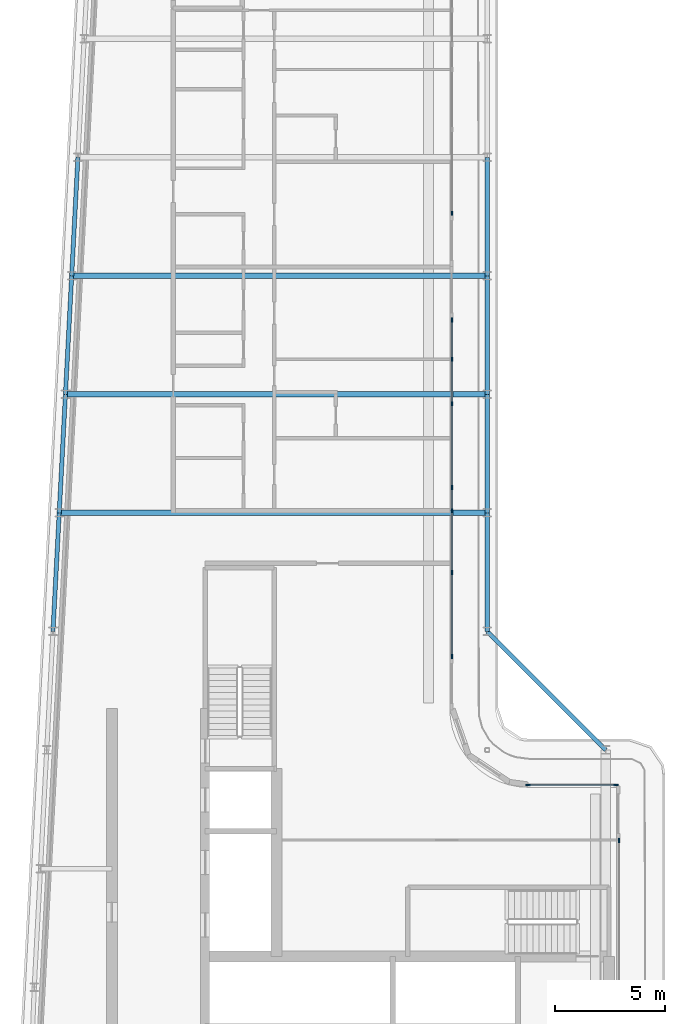
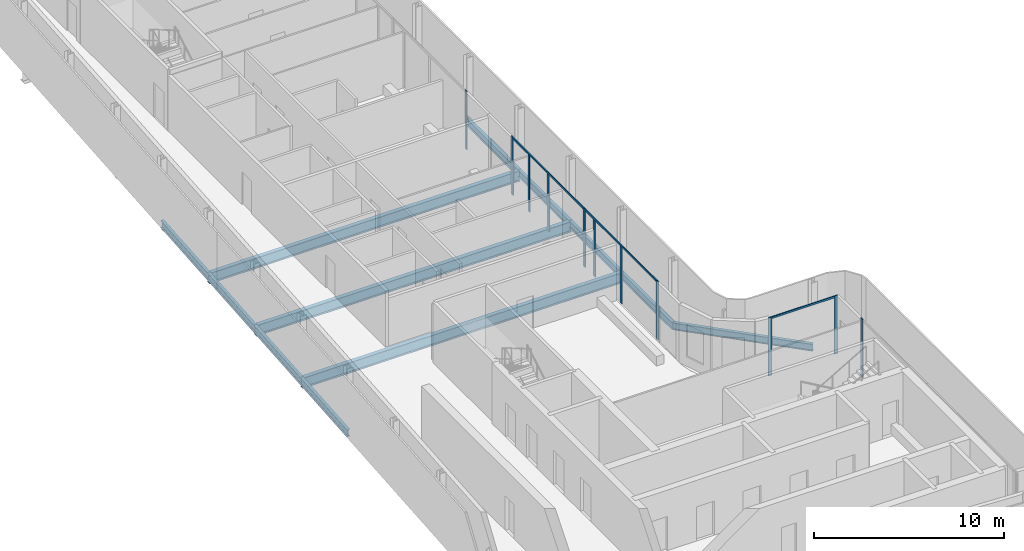
# One storey, part 5 of 18: 14 members, 12 beams, 5 elements without a shape of their own.
"""IFC4 building model written with IfcOpenShell, lengths in metres."""

import ifcopenshell
import ifcopenshell.guid

model = None  # the IFC model being written
_history = None  # IfcOwnerHistory: only IFC2X3 demands one
_inside = {}  # id of a spatial element -> (the spatial element, [elements in it])
_under = {}  # id of a project, library or spatial element -> (it, [spatial elements below it])
_declared = {}  # id of a project -> (the project, [libraries it declares])
_typed = {}  # id of a type object -> (the type object, [elements of that type])
_made_of = {}  # id of a material, layer set ... -> (it, [elements and type objects made of it])


def new_model(schema):
    """Start an empty IFC model of exactly this schema.

    Asked for "IFC4X3", IfcOpenShell would pick the latest addendum, in which some entities
    have other attributes; the version numbers below select the first issue.
    IFC2X3 requires an IfcOwnerHistory on every rooted entity: one is made here for all.
    """
    global model, _history
    if schema == "IFC4X3":
        model = ifcopenshell.file(schema_version=(4, 3, 0, 0))
    else:
        model = ifcopenshell.file(schema=schema)
    _inside.clear()
    _under.clear()
    _declared.clear()
    _typed.clear()
    _made_of.clear()
    _history = None
    if model.schema == "IFC2X3":
        org = make("IfcOrganization", Name="unknown")
        user = make(
            "IfcPersonAndOrganization",
            ThePerson=make("IfcPerson", FamilyName="unknown"),
            TheOrganization=org,
        )
        app = make(
            "IfcApplication",
            ApplicationDeveloper=org,
            Version="unknown",
            ApplicationFullName="unknown",
            ApplicationIdentifier="unknown",
        )
        _history = make(
            "IfcOwnerHistory",
            OwningUser=user,
            OwningApplication=app,
            ChangeAction="ADDED",
            CreationDate=0,
        )
    return model


def make(cls, **values):
    """One entity of the class cls with the attributes given. An attribute that is None is left unset."""
    return model.create_entity(
        cls, **{name: value for name, value in values.items() if value is not None}
    )


def rooted(cls, **values):
    """An entity with a GlobalId (a new one), such as an element, a storey or a relation."""
    return make(cls, GlobalId=ifcopenshell.guid.new(), OwnerHistory=_history, **values)


def si_unit(unit_type, name, prefix=None):
    """IfcSIUnit, for example si_unit("LENGTHUNIT", "METRE", prefix="MILLI")."""
    return make("IfcSIUnit", UnitType=unit_type, Prefix=prefix, Name=name)


def assignment(units):
    """IfcUnitAssignment: the units of a project."""
    return None if units is None else make("IfcUnitAssignment", Units=units)


def point(xyz):
    """IfcCartesianPoint."""
    return None if xyz is None else make("IfcCartesianPoint", Coordinates=xyz)


def direction(xyz):
    """IfcDirection."""
    return None if xyz is None else make("IfcDirection", DirectionRatios=xyz)


def frame(location, z_axis=None, x_axis=None):
    """IfcAxis2Placement3D, a coordinate frame: its origin and axes. An axis left out is left unset."""
    return make(
        "IfcAxis2Placement3D",
        Location=point(location),
        Axis=direction(z_axis),
        RefDirection=direction(x_axis),
    )


def frame_2d(location, x_axis=None):
    """IfcAxis2Placement2D, a coordinate frame in the plane: its origin and x axis."""
    return make(
        "IfcAxis2Placement2D", Location=point(location), RefDirection=direction(x_axis)
    )


def origin():
    """The frame at (0, 0, 0) with its axes left unset."""
    return frame((0.0, 0.0, 0.0))


def origin_2d():
    """The frame at (0, 0) in the plane with its x axis left unset."""
    return frame_2d((0.0, 0.0))


def place(relative_to, where):
    """IfcLocalPlacement: puts the frame where relative to a parent placement (None: the world)."""
    return make(
        "IfcLocalPlacement", PlacementRelTo=relative_to, RelativePlacement=where
    )


def context(
    kind, dimensions, precision=None, world=None, true_north=None, identifier=None
):
    """IfcGeometricRepresentationContext, for example the 3D "Model" context."""
    return make(
        "IfcGeometricRepresentationContext",
        ContextIdentifier=identifier,
        ContextType=kind,
        CoordinateSpaceDimension=dimensions,
        Precision=precision,
        WorldCoordinateSystem=world,
        TrueNorth=true_north,
    )


def subcontext(parent, identifier, kind, view, scale=None):
    """IfcGeometricRepresentationSubContext, for example "Body" below "Model"."""
    return make(
        "IfcGeometricRepresentationSubContext",
        ContextIdentifier=identifier,
        ContextType=kind,
        ParentContext=parent,
        TargetScale=scale,
        TargetView=view,
    )


def project(units=None, contexts=None):
    """IfcProject with its units and contexts."""
    return rooted(
        "IfcProject",
        Name="project",
        RepresentationContexts=contexts,
        UnitsInContext=assignment(units),
    )


def spatial(cls, under=None, at=None, **own):
    """A site, building, storey or space (cls), placed at a placement, below another one or the project."""
    s = rooted(cls, ObjectPlacement=at, **own)
    if under is not None:
        _under.setdefault(under.id(), (under, []))[1].append(s)
    return s


def profile(cls, at=None, kind="AREA", **sizes):
    """A parametric profile (cls). Its sizes go by their IFC names, for example OverallWidth=200.0."""
    return make(cls, ProfileType=kind, Position=at, **sizes)


def rectangle(**sizes):
    """IfcRectangleProfileDef."""
    return profile("IfcRectangleProfileDef", **sizes)


def i_section(**sizes):
    """IfcIShapeProfileDef."""
    return profile("IfcIShapeProfileDef", **sizes)


def extrude(swept, where, along, depth):
    """IfcExtrudedAreaSolid: the profile swept, set in the frame where, extruded along a direction by depth."""
    return make(
        "IfcExtrudedAreaSolid",
        SweptArea=swept,
        Position=where,
        ExtrudedDirection=direction(along),
        Depth=depth,
    )


def shape(context_of_items, identifier, shape_type, items):
    """IfcShapeRepresentation: the items that make up one representation, for example the "Body"."""
    return make(
        "IfcShapeRepresentation",
        ContextOfItems=context_of_items,
        RepresentationIdentifier=identifier,
        RepresentationType=shape_type,
        Items=items,
    )


def material(Name=None, Category=None):
    """IfcMaterial."""
    return make("IfcMaterial", Name=Name, Category=Category)


def layer(
    of_material, thickness, ventilated=None, Name=None, Category=None, Priority=None
):
    """IfcMaterialLayer: one layer of a wall or slab, of a material (None: an air gap)."""
    return make(
        "IfcMaterialLayer",
        Material=of_material,
        LayerThickness=thickness,
        IsVentilated=ventilated,
        Name=Name,
        Category=Category,
        Priority=Priority,
    )


def layer_set(layers, Name=None):
    """IfcMaterialLayerSet."""
    return make("IfcMaterialLayerSet", MaterialLayers=layers, LayerSetName=Name)


def material_profile(
    of_material, cross_section, Name=None, Category=None, Priority=None
):
    """IfcMaterialProfile: a cross section and its material."""
    return make(
        "IfcMaterialProfile",
        Name=Name,
        Material=of_material,
        Profile=cross_section,
        Priority=Priority,
        Category=Category,
    )


def profile_set(profiles, Name=None, composite=None):
    """IfcMaterialProfileSet."""
    return make(
        "IfcMaterialProfileSet",
        Name=Name,
        MaterialProfiles=profiles,
        CompositeProfile=composite,
    )


def made_of(thing, what):
    """Note that an element or type object is made of a material, layer set ...; save() writes the relation."""
    if what is not None:
        _made_of.setdefault(what.id(), (what, []))[1].append(thing)
    return thing


def type_object(cls, material=None, **own):
    """A type object (cls), such as IfcWallType, which elements share."""
    return made_of(rooted(cls, **own), material)


def element(
    cls,
    number,
    at=None,
    inside=None,
    cuts=None,
    type_object=None,
    material=None,
    context=None,
    identifier="Body",
    shape_type=None,
    held_by="IfcProductDefinitionShape",
    body=None,
    shapes=None,
    **own,
):
    """One element of the class cls, such as IfcWall. Its Tag is "e" and its number.

    at: its placement. inside: the storey or other place that contains it. cuts: it is an
    opening in that element (IfcRelVoidsElement). A single representation is given by context,
    identifier, shape_type and body (its items); several are given by shapes. held_by: the class
    of the entity that holds the representations. save() writes the other relations.
    """
    e = rooted(cls, Tag="e%d" % number, ObjectPlacement=at, **own)
    if body is not None:
        shapes = [shape(context, identifier, shape_type, body)]
    if shapes is not None:
        e.Representation = make(held_by, Representations=shapes)
    if inside is not None:
        _inside.setdefault(inside.id(), (inside, []))[1].append(e)
    if cuts is not None:
        rooted(
            "IfcRelVoidsElement", RelatingBuildingElement=cuts, RelatedOpeningElement=e
        )
    if type_object is not None:
        _typed.setdefault(type_object.id(), (type_object, []))[1].append(e)
    return made_of(e, material)


def aggregate(whole, parts):
    """IfcRelAggregates: a whole, such as a stair, and the parts it consists of."""
    return rooted("IfcRelAggregates", RelatingObject=whole, RelatedObjects=parts)


def save(model, path):
    """Write the relations noted so far, then the file.

    IfcRelAggregates (storeys below a building ...), IfcRelContainedInSpatialStructure (elements
    in a storey), IfcRelDefinesByType, IfcRelAssociatesMaterial and IfcRelDeclares: one each for
    every whole, place, type object, material and project.
    """
    for whole, parts in _under.values():
        aggregate(whole, parts)
    for where, things in _inside.values():
        rooted(
            "IfcRelContainedInSpatialStructure",
            RelatedElements=things,
            RelatingStructure=where,
        )
    for kind, things in _typed.values():
        rooted("IfcRelDefinesByType", RelatedObjects=things, RelatingType=kind)
    for what, things in _made_of.values():
        rooted("IfcRelAssociatesMaterial", RelatedObjects=things, RelatingMaterial=what)
    for by, libraries in _declared.values():
        rooted("IfcRelDeclares", RelatingContext=by, RelatedDefinitions=libraries)
    model.write(path)


model = new_model("IFC4")

# Units and contexts
model_context = context("Model", 3, precision=1e-05, world=origin(), true_north=direction((0.0, 1.0)))
body_context = subcontext(model_context, "Body", "Model", "MODEL_VIEW")
ifc_project = project(units=[si_unit("LENGTHUNIT", "METRE"), si_unit("AREAUNIT", "SQUARE_METRE"), si_unit("VOLUMEUNIT", "CUBIC_METRE"), si_unit("PLANEANGLEUNIT", "RADIAN"), si_unit("MASSUNIT", "GRAM", prefix="KILO")], contexts=[model_context])

# Site, building, storey
site_placement = place(None, origin())
site = spatial("IfcSite", under=ifc_project, at=site_placement, CompositionType="ELEMENT")
building_placement = place(site_placement, origin())
building = spatial("IfcBuilding", under=site, at=building_placement, Name="Kheshtan School and Residences Tower", CompositionType="ELEMENT")
storey_placement = place(building_placement, frame((0.0, 0.0, 373.39990234375)))
storey = spatial("IfcBuildingStorey", under=building, at=storey_placement, Name="L88", CompositionType="ELEMENT", Elevation=373.39990234375)

# Beams
ifc_material_1 = material(Name="Steel ASTM A992 Grade 50", Category="steel")
ifc_material_profile_1 = material_profile(ifc_material_1, i_section(OverallWidth=0.2529296875, OverallDepth=0.677978515625, WebThickness=0.01171875, FlangeThickness=0.016357421875, FilletRadius=0.0146484375, at=origin_2d()), Name="W690x125")
ifc_profile_set_1 = profile_set([ifc_material_profile_1], Name="Steel ASTM A992 Grade 50")
beam_type_1 = type_object("IfcBeamType", Name="Beam FB6 W690x125 ASTM A992 Grade 50", PredefinedType="BEAM", material=ifc_profile_set_1)
beam_1_placement = place(storey_placement, frame((47.60009765625, 67.199951171875, -0.489013671875), z_axis=(-1.0, 0.0, 0.0), x_axis=(0.0, -1.0, 0.0)))
element("IfcBeam", 1, at=beam_1_placement, inside=storey, type_object=beam_type_1, Name="Floor beam C085", PredefinedType="BEAM", context=body_context, shape_type="SweptSolid", body=[
    extrude(i_section(OverallWidth=0.2529296875, OverallDepth=0.677978515625, WebThickness=0.01171875, FlangeThickness=0.016357421875, FilletRadius=0.0146484375, at=origin_2d()), origin(), (0.0, 0.0, 1.0), 18.926025390625),
])
beam_2_placement = place(storey_placement, frame((47.60009765625, 56.39990234375, -0.489013671875), z_axis=(-1.0, 0.0, 0.0), x_axis=(0.0, -1.0, 0.0)))
element("IfcBeam", 2, at=beam_2_placement, inside=storey, type_object=beam_type_1, Name="Floor beam C081", PredefinedType="BEAM", context=body_context, shape_type="SweptSolid", body=[
    extrude(i_section(OverallWidth=0.2529296875, OverallDepth=0.677978515625, WebThickness=0.01171875, FlangeThickness=0.016357421875, FilletRadius=0.0146484375, at=origin_2d()), origin(), (0.0, 0.0, 1.0), 19.494140625),
])
beam_3_placement = place(storey_placement, frame((28.389892578125, 61.800048828125, -0.489013671875), z_axis=(1.0, 0.0, 0.0), x_axis=(0.0, 1.0, 0.0)))
element("IfcBeam", 3, at=beam_3_placement, inside=storey, type_object=beam_type_1, Name="Floor beam C082", PredefinedType="BEAM", context=body_context, shape_type="SweptSolid", body=[
    extrude(i_section(OverallWidth=0.2529296875, OverallDepth=0.677978515625, WebThickness=0.01171875, FlangeThickness=0.016357421875, FilletRadius=0.0146484375, at=origin_2d()), origin(), (0.0, 0.0, 1.0), 19.210205078125),
])
ifc_material_profile_2 = material_profile(ifc_material_1, i_section(OverallWidth=0.18994140625, OverallDepth=0.45703125, WebThickness=0.009033203125, FlangeThickness=0.014404296875, FilletRadius=0.01318359375, at=origin_2d()), Name="W460x74")
ifc_profile_set_2 = profile_set([ifc_material_profile_2], Name="Steel ASTM A992 Grade 50")
beam_type_2 = type_object("IfcBeamType", Name="Beam SP4 W460x74 ASTM A992 Grade 50", PredefinedType="BEAM", material=ifc_profile_set_2)
beam_4_placement = place(storey_placement, frame((47.60009765625, 72.60009765625, -0.37841796875), z_axis=(0.0, -1.0, 0.0), x_axis=(1.0, 0.0, 0.0)))
element("IfcBeam", 4, at=beam_4_placement, inside=storey, type_object=beam_type_2, Name="Spandrel beam C087-C085", PredefinedType="BEAM", context=body_context, shape_type="SweptSolid", body=[
    extrude(i_section(OverallWidth=0.18994140625, OverallDepth=0.45703125, WebThickness=0.009033203125, FlangeThickness=0.014404296875, FilletRadius=0.01318359375, at=origin_2d()), origin(), (0.0, 0.0, 1.0), 5.400146484375),
])
beam_5_placement = place(storey_placement, frame((47.60009765625, 67.199951171875, -0.37841796875), z_axis=(0.0, -1.0, 0.0), x_axis=(1.0, 0.0, 0.0)))
element("IfcBeam", 5, at=beam_5_placement, inside=storey, type_object=beam_type_2, Name="Spandrel beam C085-C083", PredefinedType="BEAM", context=body_context, shape_type="SweptSolid", body=[
    extrude(i_section(OverallWidth=0.18994140625, OverallDepth=0.45703125, WebThickness=0.009033203125, FlangeThickness=0.014404296875, FilletRadius=0.01318359375, at=origin_2d()), origin(), (0.0, 0.0, 1.0), 5.39990234375),
])
beam_6_placement = place(storey_placement, frame((47.60009765625, 61.800048828125, -0.37841796875), z_axis=(0.0, -1.0, 0.0), x_axis=(1.0, 0.0, 0.0)))
element("IfcBeam", 6, at=beam_6_placement, inside=storey, type_object=beam_type_2, Name="Spandrel beam C083-C081", PredefinedType="BEAM", context=body_context, shape_type="SweptSolid", body=[
    extrude(i_section(OverallWidth=0.18994140625, OverallDepth=0.45703125, WebThickness=0.009033203125, FlangeThickness=0.014404296875, FilletRadius=0.01318359375, at=origin_2d()), origin(), (0.0, 0.0, 1.0), 5.400146484375),
])
beam_7_placement = place(storey_placement, frame((47.60009765625, 56.39990234375, -0.37841796875), z_axis=(0.0, -1.0, 0.0), x_axis=(1.0, 0.0, 0.0)))
element("IfcBeam", 7, at=beam_7_placement, inside=storey, type_object=beam_type_2, Name="Spandrel beam C081-C079", PredefinedType="BEAM", context=body_context, shape_type="SweptSolid", body=[
    extrude(i_section(OverallWidth=0.18994140625, OverallDepth=0.45703125, WebThickness=0.009033203125, FlangeThickness=0.014404296875, FilletRadius=0.01318359375, at=origin_2d()), origin(), (0.0, 0.0, 1.0), 5.39990234375),
])
beam_8_placement = place(storey_placement, frame((47.60009765625, 51.0, -0.37841796875), z_axis=(0.707106781187, -0.707106781187, 0.0), x_axis=(0.707106781187, 0.707106781187, 0.0)))
element("IfcBeam", 8, at=beam_8_placement, inside=storey, type_object=beam_type_2, Name="Spandrel beam C079-C061", PredefinedType="BEAM", context=body_context, shape_type="SweptSolid", body=[
    extrude(i_section(OverallWidth=0.18994140625, OverallDepth=0.45703125, WebThickness=0.009033203125, FlangeThickness=0.014404296875, FilletRadius=0.01318359375, at=origin_2d()), origin(), (0.0, 0.0, 1.0), 7.63671875),
])
beam_9_placement = place(storey_placement, frame((27.822021484375, 51.0, -0.37841796875), z_axis=(0.05250906864, 0.998620447272, 0.0), x_axis=(-0.998620447272, 0.05250906864, 0.0)))
element("IfcBeam", 9, at=beam_9_placement, inside=storey, type_object=beam_type_2, Name="Spandrel beam C078-C080", PredefinedType="BEAM", context=body_context, shape_type="SweptSolid", body=[
    extrude(i_section(OverallWidth=0.18994140625, OverallDepth=0.45703125, WebThickness=0.009033203125, FlangeThickness=0.014404296875, FilletRadius=0.01318359375, at=origin_2d()), origin(), (0.0, 0.0, 1.0), 5.407470703125),
])
beam_10_placement = place(storey_placement, frame((28.10595703125, 56.39990234375, -0.37841796875), z_axis=(0.05250670125, 0.998620571751, 0.0), x_axis=(-0.998620571751, 0.05250670125, 0.0)))
element("IfcBeam", 10, at=beam_10_placement, inside=storey, type_object=beam_type_2, Name="Spandrel beam C080-C082", PredefinedType="BEAM", context=body_context, shape_type="SweptSolid", body=[
    extrude(i_section(OverallWidth=0.18994140625, OverallDepth=0.45703125, WebThickness=0.009033203125, FlangeThickness=0.014404296875, FilletRadius=0.01318359375, at=origin_2d()), origin(), (0.0, 0.0, 1.0), 5.40771484375),
])
beam_11_placement = place(storey_placement, frame((28.389892578125, 61.800048828125, -0.37841796875), z_axis=(0.052554093665, 0.998618078766, 0.0), x_axis=(-0.998618078766, 0.052554093665, 0.0)))
element("IfcBeam", 11, at=beam_11_placement, inside=storey, type_object=beam_type_2, Name="Spandrel beam C082-C084", PredefinedType="BEAM", context=body_context, shape_type="SweptSolid", body=[
    extrude(i_section(OverallWidth=0.18994140625, OverallDepth=0.45703125, WebThickness=0.009033203125, FlangeThickness=0.014404296875, FilletRadius=0.01318359375, at=origin_2d()), origin(), (0.0, 0.0, 1.0), 5.407470703125),
])
beam_12_placement = place(storey_placement, frame((28.674072265625, 67.199951171875, -0.37841796875), z_axis=(0.05250670125, 0.998620571751, 0.0), x_axis=(-0.998620571751, 0.05250670125, 0.0)))
element("IfcBeam", 12, at=beam_12_placement, inside=storey, type_object=beam_type_2, Name="Spandrel beam C084-C086", PredefinedType="BEAM", context=body_context, shape_type="SweptSolid", body=[
    extrude(i_section(OverallWidth=0.18994140625, OverallDepth=0.45703125, WebThickness=0.009033203125, FlangeThickness=0.014404296875, FilletRadius=0.01318359375, at=origin_2d()), origin(), (0.0, 0.0, 1.0), 5.40771484375),
])

# Curtain wall, members
ifc_material_2 = material(Name="Clear low-e glass in thermally broken aluminium frame", Category="aluminium")
ifc_layer_1 = layer(ifc_material_2, 0.199951171875)
ifc_layer_set_1 = layer_set([ifc_layer_1], Name="Curtain wall CW-B")
curtain_wall_type_1 = type_object("IfcCurtainWallType", Name="Curtain wall CW-B", PredefinedType="NOTDEFINED", material=ifc_layer_set_1)
curtain_wall_1_placement = place(storey_placement, origin())
curtain_wall_1 = element("IfcCurtainWall", 13, at=curtain_wall_1_placement, inside=storey, type_object=curtain_wall_type_1, Name="Curtain wall CWB12", PredefinedType="NOTDEFINED")
ifc_material_3 = material(Name="Thermally broken aluminium, dark bronze anodised", Category="aluminium")
ifc_material_profile_3 = material_profile(ifc_material_3, rectangle(XDim=0.06005859375, YDim=0.199951171875, at=origin_2d()), Name="CW-B mullion 60x200")
ifc_profile_set_3 = profile_set([ifc_material_profile_3], Name="Thermally broken aluminium, dark bronze anodised")
member_type_1 = type_object("IfcMemberType", Name="CW-B mullion 60x200", PredefinedType="MULLION", material=ifc_profile_set_3)
member_1_placement = place(storey_placement, frame((49.4599609375, 44.0, 0.0), z_axis=(0.0, 0.0, 1.0), x_axis=(0.0, 1.0, 0.0)))
member_1 = element("IfcMember", 14, at=member_1_placement, type_object=member_type_1, Name="CWB12 mullion 1", PredefinedType="MULLION", context=body_context, shape_type="SweptSolid", body=[
    extrude(rectangle(XDim=0.06005859375, YDim=0.199951171875, at=origin_2d()), origin(), (0.0, 0.0, 1.0), 3.75),
])
member_2_placement = place(storey_placement, frame((53.469970703125, 44.0, 0.0), z_axis=(0.0, 0.0, 1.0), x_axis=(0.0, 1.0, 0.0)))
member_2 = element("IfcMember", 15, at=member_2_placement, type_object=member_type_1, Name="CWB12 mullion 2", PredefinedType="MULLION", context=body_context, shape_type="SweptSolid", body=[
    extrude(rectangle(XDim=0.06005859375, YDim=0.199951171875, at=origin_2d()), origin(), (0.0, 0.0, 1.0), 3.75),
])
ifc_material_profile_4 = material_profile(ifc_material_3, rectangle(XDim=0.06005859375, YDim=0.1201171875, at=origin_2d()), Name="CW-B transom 60x120")
ifc_profile_set_4 = profile_set([ifc_material_profile_4], Name="Thermally broken aluminium, dark bronze anodised")
member_type_2 = type_object("IfcMemberType", Name="CW-B transom 60x120", PredefinedType="USERDEFINED", material=ifc_profile_set_4)
member_3_placement = place(storey_placement, frame((49.489990234375, 44.0, 3.690185546875), z_axis=(1.0, 0.0, 0.0), x_axis=(0.0, 1.0, 0.0)))
member_3 = element("IfcMember", 16, at=member_3_placement, type_object=member_type_2, Name="CWB12 transom 1", ObjectType="TRANSOM", PredefinedType="USERDEFINED", context=body_context, shape_type="SweptSolid", body=[
    extrude(rectangle(XDim=0.06005859375, YDim=0.1201171875, at=origin_2d()), origin(), (0.0, 0.0, 1.0), 3.949951171875),
])
aggregate(curtain_wall_1, [member_1, member_2, member_3])

# Curtain wall, member
ifc_layer_2 = layer(ifc_material_2, 0.199951171875)
ifc_layer_set_2 = layer_set([ifc_layer_2], Name="Curtain wall CW-L")
curtain_wall_type_2 = type_object("IfcCurtainWallType", Name="Curtain wall CW-L", PredefinedType="NOTDEFINED", material=ifc_layer_set_2)
curtain_wall_2_placement = place(storey_placement, origin())
curtain_wall_2 = element("IfcCurtainWall", 17, at=curtain_wall_2_placement, inside=storey, type_object=curtain_wall_type_2, Name="Curtain wall CWL8c", PredefinedType="NOTDEFINED")
ifc_material_profile_5 = material_profile(ifc_material_3, rectangle(XDim=0.06005859375, YDim=0.199951171875, at=origin_2d()), Name="CW-L mullion 60x200")
ifc_profile_set_5 = profile_set([ifc_material_profile_5], Name="Thermally broken aluminium, dark bronze anodised")
member_type_3 = type_object("IfcMemberType", Name="CW-L mullion 60x200", PredefinedType="MULLION", material=ifc_profile_set_5)
member_4_placement = place(storey_placement, frame((46.0, 70.048095703125, 0.0), z_axis=(0.0, 0.0, 1.0), x_axis=(1.0, 0.0, 0.0)))
member_4 = element("IfcMember", 18, at=member_4_placement, type_object=member_type_3, Name="CWL8c mullion 4", PredefinedType="MULLION", context=body_context, shape_type="SweptSolid", body=[
    extrude(rectangle(XDim=0.06005859375, YDim=0.199951171875, at=origin_2d()), origin(), (0.0, 0.0, 1.0), 3.75),
])
aggregate(curtain_wall_2, [member_4])

# Curtain wall, members
curtain_wall_3_placement = place(storey_placement, origin())
curtain_wall_3 = element("IfcCurtainWall", 19, at=curtain_wall_3_placement, inside=storey, type_object=curtain_wall_type_2, Name="Curtain wall CWL8c", PredefinedType="NOTDEFINED")
member_5_placement = place(storey_placement, frame((46.0, 65.18798828125, 0.0), z_axis=(0.0, 0.0, 1.0), x_axis=(1.0, 0.0, 0.0)))
member_5 = element("IfcMember", 20, at=member_5_placement, type_object=member_type_3, Name="CWL8c mullion 1", PredefinedType="MULLION", context=body_context, shape_type="SweptSolid", body=[
    extrude(rectangle(XDim=0.06005859375, YDim=0.199951171875, at=origin_2d()), origin(), (0.0, 0.0, 1.0), 3.75),
])
member_6_placement = place(storey_placement, frame((46.0, 63.39990234375, 0.0), z_axis=(0.0, 0.0, 1.0), x_axis=(1.0, 0.0, 0.0)))
member_6 = element("IfcMember", 21, at=member_6_placement, type_object=member_type_3, Name="CWL8c mullion 2", PredefinedType="MULLION", context=body_context, shape_type="SweptSolid", body=[
    extrude(rectangle(XDim=0.06005859375, YDim=0.199951171875, at=origin_2d()), origin(), (0.0, 0.0, 1.0), 3.630126953125),
])
member_7_placement = place(storey_placement, frame((46.0, 61.37109375, 0.0), z_axis=(0.0, 0.0, 1.0), x_axis=(1.0, 0.0, 0.0)))
member_7 = element("IfcMember", 22, at=member_7_placement, type_object=member_type_3, Name="CWL8c mullion 3", PredefinedType="MULLION", context=body_context, shape_type="SweptSolid", body=[
    extrude(rectangle(XDim=0.06005859375, YDim=0.199951171875, at=origin_2d()), origin(), (0.0, 0.0, 1.0), 3.630126953125),
])
member_8_placement = place(storey_placement, frame((46.0, 57.553955078125, 0.0), z_axis=(0.0, 0.0, 1.0), x_axis=(1.0, 0.0, 0.0)))
member_8 = element("IfcMember", 23, at=member_8_placement, type_object=member_type_3, Name="CWL8c mullion 4", PredefinedType="MULLION", context=body_context, shape_type="SweptSolid", body=[
    extrude(rectangle(XDim=0.06005859375, YDim=0.199951171875, at=origin_2d()), origin(), (0.0, 0.0, 1.0), 3.75),
])

curtain_wall_4_placement = place(storey_placement, origin())
curtain_wall_4 = element("IfcCurtainWall", 24, at=curtain_wall_4_placement, inside=storey, type_object=curtain_wall_type_2, Name="Curtain wall CWL8c", PredefinedType="NOTDEFINED")
member_9_placement = place(storey_placement, frame((46.0, 56.5, 0.0), z_axis=(0.0, 0.0, 1.0), x_axis=(1.0, 0.0, 0.0)))
member_9 = element("IfcMember", 25, at=member_9_placement, type_object=member_type_3, Name="CWL8c mullion 2", PredefinedType="MULLION", context=body_context, shape_type="SweptSolid", body=[
    extrude(rectangle(XDim=0.06005859375, YDim=0.199951171875, at=origin_2d()), origin(), (0.0, 0.0, 1.0), 3.630126953125),
])
member_10_placement = place(storey_placement, frame((46.0, 53.677001953125, 0.0), z_axis=(0.0, 0.0, 1.0), x_axis=(1.0, 0.0, 0.0)))
member_10 = element("IfcMember", 26, at=member_10_placement, type_object=member_type_3, Name="CWL8c mullion 3", PredefinedType="MULLION", context=body_context, shape_type="SweptSolid", body=[
    extrude(rectangle(XDim=0.06005859375, YDim=0.199951171875, at=origin_2d()), origin(), (0.0, 0.0, 1.0), 3.630126953125),
])
member_11_placement = place(storey_placement, frame((46.0, 49.860107421875, 0.0), z_axis=(0.0, 0.0, 1.0), x_axis=(1.0, 0.0, 0.0)))
member_11 = element("IfcMember", 27, at=member_11_placement, type_object=member_type_3, Name="CWL8c mullion 4", PredefinedType="MULLION", context=body_context, shape_type="SweptSolid", body=[
    extrude(rectangle(XDim=0.06005859375, YDim=0.199951171875, at=origin_2d()), origin(), (0.0, 0.0, 1.0), 3.75),
])

# Curtain wall, member
curtain_wall_5_placement = place(storey_placement, origin())
curtain_wall_5 = element("IfcCurtainWall", 28, at=curtain_wall_5_placement, inside=storey, type_object=curtain_wall_type_2, Name="Curtain wall CWL13h", PredefinedType="NOTDEFINED")
member_12_placement = place(storey_placement, frame((53.60009765625, 41.469970703125, 0.0), z_axis=(0.0, 0.0, 1.0), x_axis=(1.0, 0.0, 0.0)))
member_12 = element("IfcMember", 29, at=member_12_placement, type_object=member_type_3, Name="CWL13h mullion 1", PredefinedType="MULLION", context=body_context, shape_type="SweptSolid", body=[
    extrude(rectangle(XDim=0.06005859375, YDim=0.199951171875, at=origin_2d()), origin(), (0.0, 0.0, 1.0), 3.75),
])
aggregate(curtain_wall_5, [member_12])

# Member
ifc_material_profile_6 = material_profile(ifc_material_3, rectangle(XDim=0.06005859375, YDim=0.1201171875, at=origin_2d()), Name="CW-L transom 60x120")
ifc_profile_set_6 = profile_set([ifc_material_profile_6], Name="Thermally broken aluminium, dark bronze anodised")
member_type_4 = type_object("IfcMemberType", Name="CW-L transom 60x120", PredefinedType="USERDEFINED", material=ifc_profile_set_6)
member_13_placement = place(storey_placement, frame((46.0, 65.157958984375, 3.690185546875), z_axis=(0.0, -1.0, 0.0), x_axis=(1.0, 0.0, 0.0)))
member_13 = element("IfcMember", 30, at=member_13_placement, type_object=member_type_4, Name="CWL8c transom 1", ObjectType="TRANSOM", PredefinedType="USERDEFINED", context=body_context, shape_type="SweptSolid", body=[
    extrude(rectangle(XDim=0.06005859375, YDim=0.1201171875, at=origin_2d()), origin(), (0.0, 0.0, 1.0), 7.573974609375),
])

aggregate(curtain_wall_3, [member_5, member_6, member_7, member_8, member_13])

member_14_placement = place(storey_placement, frame((46.0, 57.52392578125, 3.690185546875), z_axis=(0.0, -1.0, 0.0), x_axis=(1.0, 0.0, 0.0)))
member_14 = element("IfcMember", 31, at=member_14_placement, type_object=member_type_4, Name="CWL8c transom 1", ObjectType="TRANSOM", PredefinedType="USERDEFINED", context=body_context, shape_type="SweptSolid", body=[
    extrude(rectangle(XDim=0.06005859375, YDim=0.1201171875, at=origin_2d()), origin(), (0.0, 0.0, 1.0), 7.634033203125),
])

aggregate(curtain_wall_4, [member_9, member_10, member_11, member_14])

save(model, "model.ifc")
